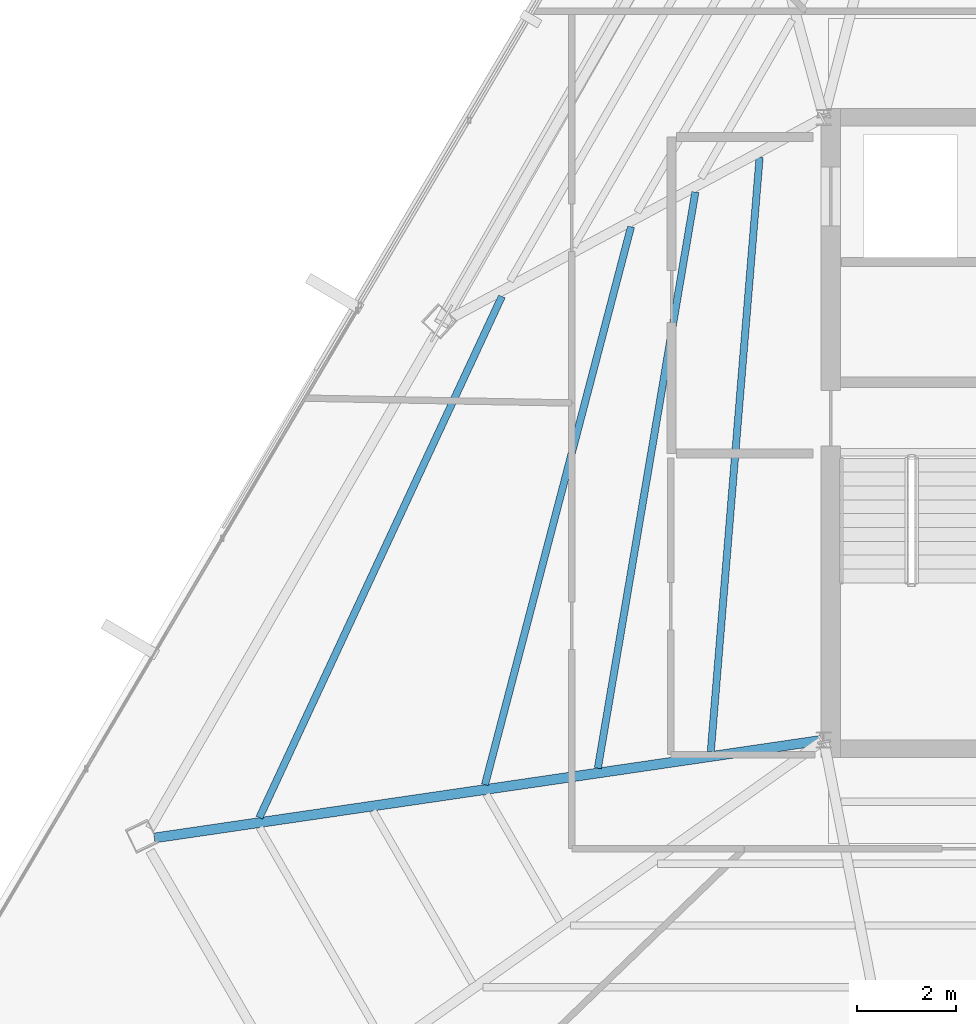
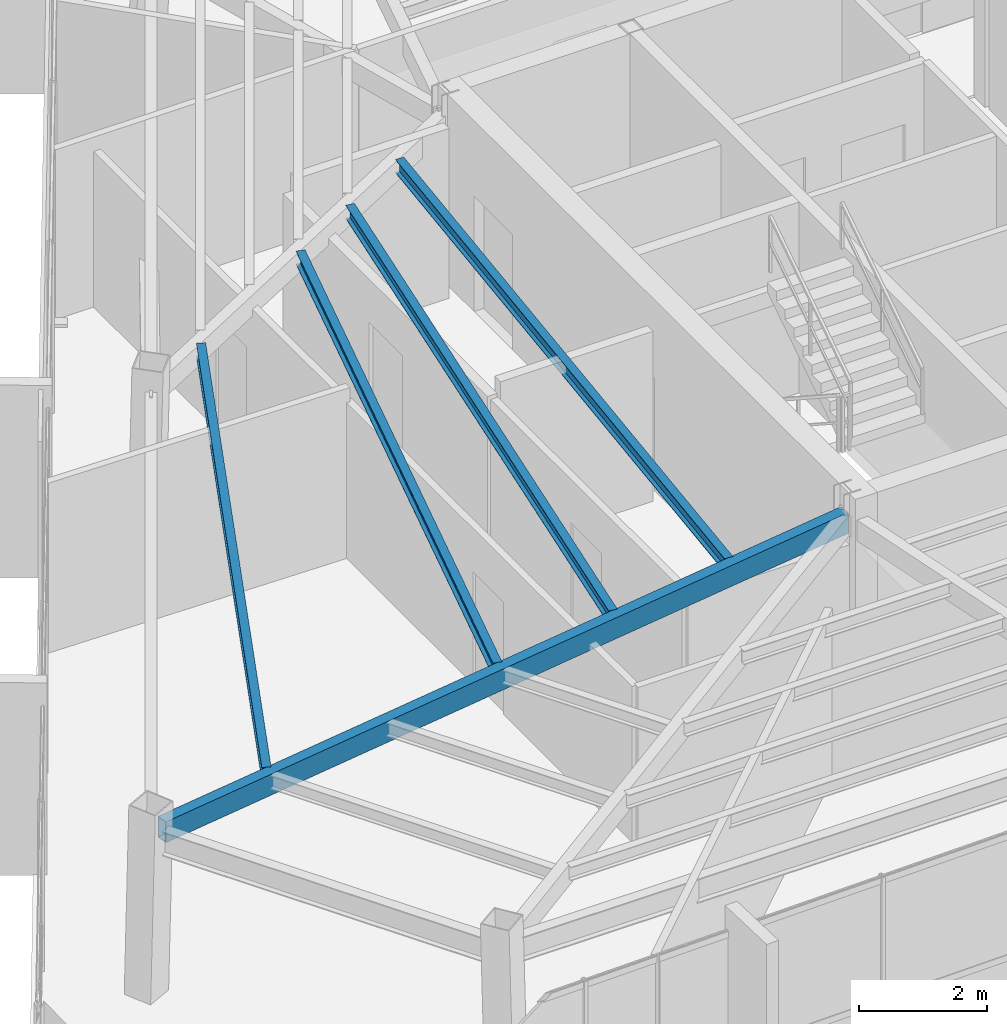
# One storey, part 10 of 44: 5 beams.
"""IFC4 building model written with IfcOpenShell, lengths in metres."""

import ifcopenshell
import ifcopenshell.guid

model = None  # the IFC model being written
_history = None  # IfcOwnerHistory: only IFC2X3 demands one
_inside = {}  # id of a spatial element -> (the spatial element, [elements in it])
_under = {}  # id of a project, library or spatial element -> (it, [spatial elements below it])
_declared = {}  # id of a project -> (the project, [libraries it declares])
_typed = {}  # id of a type object -> (the type object, [elements of that type])
_made_of = {}  # id of a material, layer set ... -> (it, [elements and type objects made of it])


def new_model(schema):
    """Start an empty IFC model of exactly this schema.

    Asked for "IFC4X3", IfcOpenShell would pick the latest addendum, in which some entities
    have other attributes; the version numbers below select the first issue.
    IFC2X3 requires an IfcOwnerHistory on every rooted entity: one is made here for all.
    """
    global model, _history
    if schema == "IFC4X3":
        model = ifcopenshell.file(schema_version=(4, 3, 0, 0))
    else:
        model = ifcopenshell.file(schema=schema)
    _inside.clear()
    _under.clear()
    _declared.clear()
    _typed.clear()
    _made_of.clear()
    _history = None
    if model.schema == "IFC2X3":
        org = make("IfcOrganization", Name="unknown")
        user = make(
            "IfcPersonAndOrganization",
            ThePerson=make("IfcPerson", FamilyName="unknown"),
            TheOrganization=org,
        )
        app = make(
            "IfcApplication",
            ApplicationDeveloper=org,
            Version="unknown",
            ApplicationFullName="unknown",
            ApplicationIdentifier="unknown",
        )
        _history = make(
            "IfcOwnerHistory",
            OwningUser=user,
            OwningApplication=app,
            ChangeAction="ADDED",
            CreationDate=0,
        )
    return model


def make(cls, **values):
    """One entity of the class cls with the attributes given. An attribute that is None is left unset."""
    return model.create_entity(
        cls, **{name: value for name, value in values.items() if value is not None}
    )


def rooted(cls, **values):
    """An entity with a GlobalId (a new one), such as an element, a storey or a relation."""
    return make(cls, GlobalId=ifcopenshell.guid.new(), OwnerHistory=_history, **values)


def si_unit(unit_type, name, prefix=None):
    """IfcSIUnit, for example si_unit("LENGTHUNIT", "METRE", prefix="MILLI")."""
    return make("IfcSIUnit", UnitType=unit_type, Prefix=prefix, Name=name)


def assignment(units):
    """IfcUnitAssignment: the units of a project."""
    return None if units is None else make("IfcUnitAssignment", Units=units)


def point(xyz):
    """IfcCartesianPoint."""
    return None if xyz is None else make("IfcCartesianPoint", Coordinates=xyz)


def direction(xyz):
    """IfcDirection."""
    return None if xyz is None else make("IfcDirection", DirectionRatios=xyz)


def frame(location, z_axis=None, x_axis=None):
    """IfcAxis2Placement3D, a coordinate frame: its origin and axes. An axis left out is left unset."""
    return make(
        "IfcAxis2Placement3D",
        Location=point(location),
        Axis=direction(z_axis),
        RefDirection=direction(x_axis),
    )


def frame_2d(location, x_axis=None):
    """IfcAxis2Placement2D, a coordinate frame in the plane: its origin and x axis."""
    return make(
        "IfcAxis2Placement2D", Location=point(location), RefDirection=direction(x_axis)
    )


def origin():
    """The frame at (0, 0, 0) with its axes left unset."""
    return frame((0.0, 0.0, 0.0))


def origin_2d():
    """The frame at (0, 0) in the plane with its x axis left unset."""
    return frame_2d((0.0, 0.0))


def place(relative_to, where):
    """IfcLocalPlacement: puts the frame where relative to a parent placement (None: the world)."""
    return make(
        "IfcLocalPlacement", PlacementRelTo=relative_to, RelativePlacement=where
    )


def context(
    kind, dimensions, precision=None, world=None, true_north=None, identifier=None
):
    """IfcGeometricRepresentationContext, for example the 3D "Model" context."""
    return make(
        "IfcGeometricRepresentationContext",
        ContextIdentifier=identifier,
        ContextType=kind,
        CoordinateSpaceDimension=dimensions,
        Precision=precision,
        WorldCoordinateSystem=world,
        TrueNorth=true_north,
    )


def subcontext(parent, identifier, kind, view, scale=None):
    """IfcGeometricRepresentationSubContext, for example "Body" below "Model"."""
    return make(
        "IfcGeometricRepresentationSubContext",
        ContextIdentifier=identifier,
        ContextType=kind,
        ParentContext=parent,
        TargetScale=scale,
        TargetView=view,
    )


def project(units=None, contexts=None):
    """IfcProject with its units and contexts."""
    return rooted(
        "IfcProject",
        Name="project",
        RepresentationContexts=contexts,
        UnitsInContext=assignment(units),
    )


def spatial(cls, under=None, at=None, **own):
    """A site, building, storey or space (cls), placed at a placement, below another one or the project."""
    s = rooted(cls, ObjectPlacement=at, **own)
    if under is not None:
        _under.setdefault(under.id(), (under, []))[1].append(s)
    return s


def profile(cls, at=None, kind="AREA", **sizes):
    """A parametric profile (cls). Its sizes go by their IFC names, for example OverallWidth=200.0."""
    return make(cls, ProfileType=kind, Position=at, **sizes)


def hollow_rectangle(**sizes):
    """IfcRectangleHollowProfileDef."""
    return profile("IfcRectangleHollowProfileDef", **sizes)


def i_section(**sizes):
    """IfcIShapeProfileDef."""
    return profile("IfcIShapeProfileDef", **sizes)


def extrude(swept, where, along, depth):
    """IfcExtrudedAreaSolid: the profile swept, set in the frame where, extruded along a direction by depth."""
    return make(
        "IfcExtrudedAreaSolid",
        SweptArea=swept,
        Position=where,
        ExtrudedDirection=direction(along),
        Depth=depth,
    )


def shape(context_of_items, identifier, shape_type, items):
    """IfcShapeRepresentation: the items that make up one representation, for example the "Body"."""
    return make(
        "IfcShapeRepresentation",
        ContextOfItems=context_of_items,
        RepresentationIdentifier=identifier,
        RepresentationType=shape_type,
        Items=items,
    )


def source(mapping_origin, context_of_items, identifier, shape_type, items):
    """IfcRepresentationMap: a shape defined once, which mapped items show again and again."""
    return make(
        "IfcRepresentationMap",
        MappingOrigin=mapping_origin,
        MappedRepresentation=shape(context_of_items, identifier, shape_type, items),
    )


def transform(
    local_origin,
    x_axis=None,
    y_axis=None,
    z_axis=None,
    scale=None,
    scale2=None,
    scale3=None,
    uniform=True,
):
    """IfcCartesianTransformationOperator3D, or its non-uniform kind. x_axis, y_axis, z_axis: its Axis1, 2, 3."""
    if uniform:
        return make(
            "IfcCartesianTransformationOperator3D",
            Axis1=direction(x_axis),
            Axis2=direction(y_axis),
            LocalOrigin=point(local_origin),
            Scale=scale,
            Axis3=direction(z_axis),
        )
    return make(
        "IfcCartesianTransformationOperator3DnonUniform",
        Axis1=direction(x_axis),
        Axis2=direction(y_axis),
        LocalOrigin=point(local_origin),
        Scale=scale,
        Axis3=direction(z_axis),
        Scale2=scale2,
        Scale3=scale3,
    )


def mapped(mapping_source, mapping_target):
    """IfcMappedItem: shows the shape of a source again, moved by a transform."""
    return make(
        "IfcMappedItem", MappingSource=mapping_source, MappingTarget=mapping_target
    )


def material(Name=None, Category=None):
    """IfcMaterial."""
    return make("IfcMaterial", Name=Name, Category=Category)


def material_profile(
    of_material, cross_section, Name=None, Category=None, Priority=None
):
    """IfcMaterialProfile: a cross section and its material."""
    return make(
        "IfcMaterialProfile",
        Name=Name,
        Material=of_material,
        Profile=cross_section,
        Priority=Priority,
        Category=Category,
    )


def profile_set(profiles, Name=None, composite=None):
    """IfcMaterialProfileSet."""
    return make(
        "IfcMaterialProfileSet",
        Name=Name,
        MaterialProfiles=profiles,
        CompositeProfile=composite,
    )


def made_of(thing, what):
    """Note that an element or type object is made of a material, layer set ...; save() writes the relation."""
    if what is not None:
        _made_of.setdefault(what.id(), (what, []))[1].append(thing)
    return thing


def type_object(cls, material=None, **own):
    """A type object (cls), such as IfcWallType, which elements share."""
    return made_of(rooted(cls, **own), material)


def type_shapes(of_type, sources):
    """Give a type object the sources (RepresentationMaps) that its elements show as mapped items."""
    of_type.RepresentationMaps = sources


def element(
    cls,
    number,
    at=None,
    inside=None,
    cuts=None,
    type_object=None,
    material=None,
    context=None,
    identifier="Body",
    shape_type=None,
    held_by="IfcProductDefinitionShape",
    body=None,
    shapes=None,
    **own,
):
    """One element of the class cls, such as IfcWall. Its Tag is "e" and its number.

    at: its placement. inside: the storey or other place that contains it. cuts: it is an
    opening in that element (IfcRelVoidsElement). A single representation is given by context,
    identifier, shape_type and body (its items); several are given by shapes. held_by: the class
    of the entity that holds the representations. save() writes the other relations.
    """
    e = rooted(cls, Tag="e%d" % number, ObjectPlacement=at, **own)
    if body is not None:
        shapes = [shape(context, identifier, shape_type, body)]
    if shapes is not None:
        e.Representation = make(held_by, Representations=shapes)
    if inside is not None:
        _inside.setdefault(inside.id(), (inside, []))[1].append(e)
    if cuts is not None:
        rooted(
            "IfcRelVoidsElement", RelatingBuildingElement=cuts, RelatedOpeningElement=e
        )
    if type_object is not None:
        _typed.setdefault(type_object.id(), (type_object, []))[1].append(e)
    return made_of(e, material)


def aggregate(whole, parts):
    """IfcRelAggregates: a whole, such as a stair, and the parts it consists of."""
    return rooted("IfcRelAggregates", RelatingObject=whole, RelatedObjects=parts)


def save(model, path):
    """Write the relations noted so far, then the file.

    IfcRelAggregates (storeys below a building ...), IfcRelContainedInSpatialStructure (elements
    in a storey), IfcRelDefinesByType, IfcRelAssociatesMaterial and IfcRelDeclares: one each for
    every whole, place, type object, material and project.
    """
    for whole, parts in _under.values():
        aggregate(whole, parts)
    for where, things in _inside.values():
        rooted(
            "IfcRelContainedInSpatialStructure",
            RelatedElements=things,
            RelatingStructure=where,
        )
    for kind, things in _typed.values():
        rooted("IfcRelDefinesByType", RelatedObjects=things, RelatingType=kind)
    for what, things in _made_of.values():
        rooted("IfcRelAssociatesMaterial", RelatedObjects=things, RelatingMaterial=what)
    for by, libraries in _declared.values():
        rooted("IfcRelDeclares", RelatingContext=by, RelatedDefinitions=libraries)
    model.write(path)


model = new_model("IFC4")

# Units and contexts
model_context = context("Model", 3, precision=1e-05, world=origin(), true_north=direction((0.0, 1.0)))
body_context = subcontext(model_context, "Body", "Model", "MODEL_VIEW")
ifc_project = project(units=[si_unit("LENGTHUNIT", "METRE"), si_unit("AREAUNIT", "SQUARE_METRE"), si_unit("VOLUMEUNIT", "CUBIC_METRE"), si_unit("PLANEANGLEUNIT", "RADIAN"), si_unit("MASSUNIT", "GRAM", prefix="KILO")], contexts=[model_context])

# Site, building, storey
site_placement = place(None, origin())
site = spatial("IfcSite", under=ifc_project, at=site_placement, CompositionType="ELEMENT")
building_placement = place(site_placement, origin())
building = spatial("IfcBuilding", under=site, at=building_placement, Name="Caelisora Broadcast Tower", CompositionType="ELEMENT")
storey_placement = place(building_placement, frame((0.0, 0.0, 280.949951171875)))
storey = spatial("IfcBuildingStorey", under=building, at=storey_placement, Name="L74", CompositionType="ELEMENT", Elevation=280.949951171875)

# Beams
ifc_material_1 = material(Name="Steel Grade 350 (AS/NZS 1163 C350L0)", Category="steel")
ifc_material_profile_1 = material_profile(ifc_material_1, hollow_rectangle(XDim=0.199951171875, YDim=0.39990234375, WallThickness=0.012451171875, at=origin_2d()), Name="Steel Grade 350 (AS/NZS 1163 C350L0)")
ifc_profile_set_1 = profile_set([ifc_material_profile_1], Name="Steel Grade 350 (AS/NZS 1163 C350L0)")
beam_type_1 = type_object("IfcBeamType", Name="PG07", PredefinedType="BEAM", material=ifc_profile_set_1)
shared_shape_1 = source(origin(), body_context, "Body", "SweptSolid", [
    extrude(hollow_rectangle(XDim=0.199951171875, YDim=0.39990234375, WallThickness=0.012451171875, at=origin_2d()), origin(), (0.0, 0.0, 1.0), 13.6328125),
])
type_shapes(beam_type_1, [shared_shape_1])
beam_1_placement = place(storey_placement, frame((30.440673828125, 17.391357421875, 3.050048828125), z_axis=(-0.98945724639, -0.144825265634, 0.0), x_axis=(0.144825265634, -0.98945724639, 0.0)))
element("IfcBeam", 1, at=beam_1_placement, inside=storey, type_object=beam_type_1, Name="L74 beam PG07", PredefinedType="BEAM", context=body_context, shape_type="MappedRepresentation", body=[
    mapped(shared_shape_1, transform((0.0, 0.0, 0.0), scale=1.0)),
])
ifc_material_2 = material(Name="Steel Grade 350 (AS/NZS 3679.1)", Category="steel")
ifc_material_profile_2 = material_profile(ifc_material_2, i_section(OverallWidth=0.14599609375, OverallDepth=0.256103515625, WebThickness=0.00634765625, FlangeThickness=0.010986328125, at=origin_2d()), Name="Steel Grade 350 (AS/NZS 3679.1)")
ifc_profile_set_2 = profile_set([ifc_material_profile_2], Name="Steel Grade 350 (AS/NZS 3679.1)")
beam_type_2 = type_object("IfcBeamType", Name="SB04", PredefinedType="JOIST", material=ifc_profile_set_2)
shared_shape_2 = source(origin(), body_context, "Body", "SweptSolid", [
    extrude(i_section(OverallWidth=0.14599609375, OverallDepth=0.256103515625, WebThickness=0.00634765625, FlangeThickness=0.010986328125, at=origin_2d()), origin(), (0.0, 0.0, 1.0), 12.06640625),
])
beam_2_placement = place(storey_placement, frame((29.201416015625, 29.189453125, 3.1220703125), z_axis=(-0.081843150823, -0.996645222064, 0.0), x_axis=(0.996645222064, -0.081843150823, 0.0)))
element("IfcBeam", 2, at=beam_2_placement, inside=storey, type_object=beam_type_2, Name="L74 beam SB04", PredefinedType="JOIST", context=body_context, shape_type="MappedRepresentation", body=[
    mapped(shared_shape_2, transform((0.0, 0.0, 0.0), scale=1.0)),
])
shared_shape_3 = source(origin(), body_context, "Body", "SweptSolid", [
    extrude(i_section(OverallWidth=0.14599609375, OverallDepth=0.256103515625, WebThickness=0.00634765625, FlangeThickness=0.010986328125, at=origin_2d()), origin(), (0.0, 0.0, 1.0), 11.8251953125),
])
beam_3_placement = place(storey_placement, frame((27.901123046875, 28.488525390625, 3.1220703125), z_axis=(-0.166819087702, -0.985987521208, 0.0), x_axis=(0.985987521208, -0.166819087702, 0.0)))
element("IfcBeam", 3, at=beam_3_placement, inside=storey, type_object=beam_type_2, Name="L74 beam SB04", PredefinedType="JOIST", context=body_context, shape_type="MappedRepresentation", body=[
    mapped(shared_shape_3, transform((0.0, 0.0, 0.0), scale=1.0)),
])
shared_shape_4 = source(origin(), body_context, "Body", "SweptSolid", [
    extrude(i_section(OverallWidth=0.14599609375, OverallDepth=0.256103515625, WebThickness=0.00634765625, FlangeThickness=0.010986328125, at=origin_2d()), origin(), (0.0, 0.0, 1.0), 11.672119140625),
])
beam_4_placement = place(storey_placement, frame((26.598876953125, 27.78662109375, 3.1220703125), z_axis=(-0.253176229884, -0.96742017584, 0.0), x_axis=(0.96742017584, -0.253176229884, 0.0)))
element("IfcBeam", 4, at=beam_4_placement, inside=storey, type_object=beam_type_2, Name="L74 beam SB04", PredefinedType="JOIST", context=body_context, shape_type="MappedRepresentation", body=[
    mapped(shared_shape_4, transform((0.0, 0.0, 0.0), scale=1.0)),
])
shared_shape_5 = source(origin(), body_context, "Body", "SweptSolid", [
    extrude(i_section(OverallWidth=0.14599609375, OverallDepth=0.256103515625, WebThickness=0.00634765625, FlangeThickness=0.010986328125, at=origin_2d()), origin(), (0.0, 0.0, 1.0), 11.63623046875),
])
type_shapes(beam_type_2, [shared_shape_2, shared_shape_3, shared_shape_4, shared_shape_5])
beam_5_placement = place(storey_placement, frame((23.985107421875, 26.37744140625, 3.1220703125), z_axis=(-0.421757225159, -0.906708797258, 0.0), x_axis=(0.906708797258, -0.421757225159, 0.0)))
element("IfcBeam", 5, at=beam_5_placement, inside=storey, type_object=beam_type_2, Name="L74 beam SB04", PredefinedType="JOIST", context=body_context, shape_type="MappedRepresentation", body=[
    mapped(shared_shape_5, transform((0.0, 0.0, 0.0), scale=1.0)),
])

save(model, "model.ifc")
